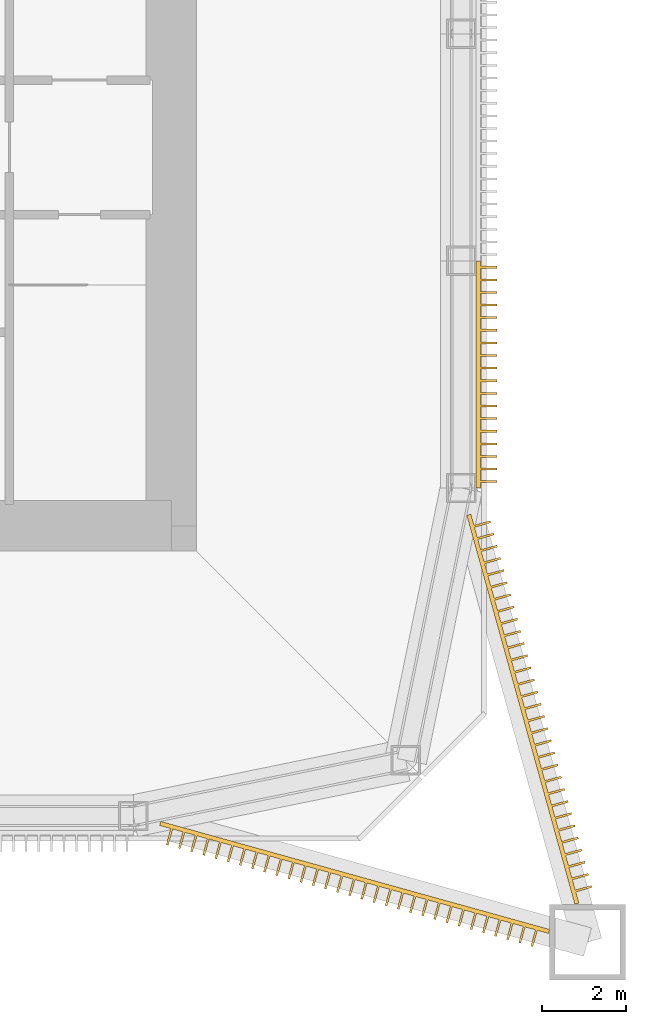
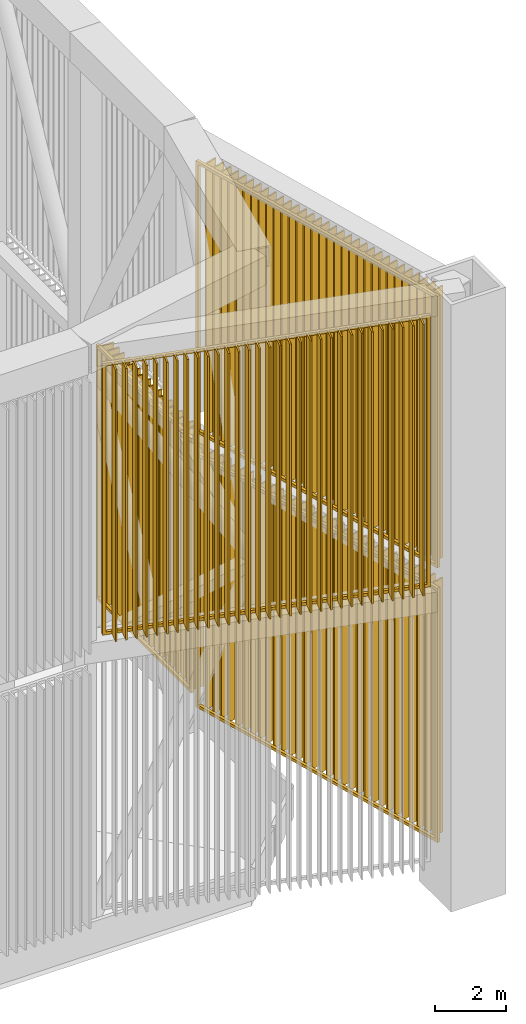
# One storey, part 8 of 13: 4 shading devices.
"""IFC4 building model written with IfcOpenShell, lengths in metres."""

from ifc_helpers import new_model, si_unit, direction, frame, origin, origin_2d, place, context, subcontext, project, spatial, rectangle, extrude, material, layer, layer_set, type_object, element, save


model = new_model("IFC4")

# Units and contexts
model_context = context("Model", 3, precision=1e-05, world=origin(), true_north=direction((0.0, 1.0)))
body_context = subcontext(model_context, "Body", "Model", "MODEL_VIEW")
ifc_project = project(units=[si_unit("LENGTHUNIT", "METRE"), si_unit("AREAUNIT", "SQUARE_METRE"), si_unit("VOLUMEUNIT", "CUBIC_METRE"), si_unit("PLANEANGLEUNIT", "RADIAN"), si_unit("MASSUNIT", "GRAM", prefix="KILO")], contexts=[model_context])

# Site, building, storey
site_placement = place(None, origin())
site = spatial("IfcSite", under=ifc_project, at=site_placement, CompositionType="ELEMENT")
building_placement = place(site_placement, origin())
building = spatial("IfcBuilding", under=site, at=building_placement, Name="Iwan Alto Co-Living Towers", CompositionType="ELEMENT")
storey_placement = place(building_placement, frame((0.0, 0.0, 267.5)))
storey = spatial("IfcBuildingStorey", under=building, at=storey_placement, Name="RF", CompositionType="ELEMENT", Elevation=267.5)

# Shading devices
ifc_material_1 = material(Name="Aluminium 6063-T6 bronze anodised", Category="aluminium")
ifc_layer_1 = layer(ifc_material_1, 0.39990234375, Name="Fins", Category="Finish")
ifc_material_2 = material(Name="Steel ASTM A36 galvanised frame", Category="steel")
ifc_layer_2 = layer(ifc_material_2, 0.10009765625, Name="Panel frame", Category="Framing")
ifc_layer_set_1 = layer_set([ifc_layer_1, ifc_layer_2], Name="CROWN FIN SCREEN CORNER PANEL")
shading_device_type_1 = type_object("IfcShadingDeviceType", Name="CROWN FIN SCREEN CORNER PANEL", PredefinedType="USERDEFINED", material=ifc_layer_set_1)
shading_device_1_placement = place(storey_placement, frame((0.0, 0.0, -267.5)))
element("IfcShadingDevice", 1, at=shading_device_1_placement, inside=storey, type_object=shading_device_type_1, Name="T1 crown fin screen SE-E lower", ObjectType="LOUVER", PredefinedType="USERDEFINED", context=body_context, shape_type="SweptSolid", body=[
    extrude(rectangle(XDim=9.59912109375, YDim=0.10009765625, at=origin_2d()), frame((17.361083984375, -13.3603515625, 268.599853515625), z_axis=(0.0, 0.0, 1.0), x_axis=(0.267643863841, -0.963517909615, 0.0)), (0.0, 0.0, 1.0), 0.10009765625),
    extrude(rectangle(XDim=9.59912109375, YDim=0.10009765625, at=origin_2d()), frame((17.361083984375, -13.3603515625, 277.300048828125), z_axis=(0.0, 0.0, 1.0), x_axis=(0.267643863841, -0.963517909615, 0.0)), (0.0, 0.0, 1.0), 0.10009765625),
    extrude(rectangle(XDim=0.10009765625, YDim=0.10009765625, at=origin_2d()), frame((16.090087890625, -8.7841796875, 268.69482421875), z_axis=(0.0, 0.0, 1.0), x_axis=(0.267643863841, -0.963517909615, 0.0)), (0.0, 0.0, 1.0), 8.610107421875),
    extrude(rectangle(XDim=0.10009765625, YDim=0.10009765625, at=origin_2d()), frame((18.63232421875, -17.9365234375, 268.69482421875), z_axis=(0.0, 0.0, 1.0), x_axis=(0.267643863841, -0.963517909615, 0.0)), (0.0, 0.0, 1.0), 8.610107421875),
    extrude(rectangle(XDim=0.050048828125, YDim=0.405029296875, at=origin_2d()), frame((16.395263671875, -8.958251953125, 268.60009765625), z_axis=(0.0, 0.0, 1.0), x_axis=(0.267643863841, -0.963517909615, 0.0)), (0.0, 0.0, 1.0), 8.800048828125),
    extrude(rectangle(XDim=0.050048828125, YDim=0.405029296875, at=origin_2d()), frame((16.4755859375, -9.247314453125, 268.60009765625), z_axis=(0.0, 0.0, 1.0), x_axis=(0.267643863841, -0.963517909615, 0.0)), (0.0, 0.0, 1.0), 8.800048828125),
    extrude(rectangle(XDim=0.050048828125, YDim=0.405029296875, at=origin_2d()), frame((16.555908203125, -9.536376953125, 268.60009765625), z_axis=(0.0, 0.0, 1.0), x_axis=(0.267643863841, -0.963517909615, 0.0)), (0.0, 0.0, 1.0), 8.800048828125),
    extrude(rectangle(XDim=0.050048828125, YDim=0.405029296875, at=origin_2d()), frame((16.63623046875, -9.825439453125, 268.60009765625), z_axis=(0.0, 0.0, 1.0), x_axis=(0.267643863841, -0.963517909615, 0.0)), (0.0, 0.0, 1.0), 8.800048828125),
    extrude(rectangle(XDim=0.050048828125, YDim=0.405029296875, at=origin_2d()), frame((16.71630859375, -10.114501953125, 268.60009765625), z_axis=(0.0, 0.0, 1.0), x_axis=(0.267643863841, -0.963517909615, 0.0)), (0.0, 0.0, 1.0), 8.800048828125),
    extrude(rectangle(XDim=0.050048828125, YDim=0.405029296875, at=origin_2d()), frame((16.796630859375, -10.403564453125, 268.60009765625), z_axis=(0.0, 0.0, 1.0), x_axis=(0.267643863841, -0.963517909615, 0.0)), (0.0, 0.0, 1.0), 8.800048828125),
    extrude(rectangle(XDim=0.050048828125, YDim=0.405029296875, at=origin_2d()), frame((16.876953125, -10.692626953125, 268.60009765625), z_axis=(0.0, 0.0, 1.0), x_axis=(0.267643863841, -0.963517909615, 0.0)), (0.0, 0.0, 1.0), 8.800048828125),
    extrude(rectangle(XDim=0.050048828125, YDim=0.405029296875, at=origin_2d()), frame((16.957275390625, -10.981689453125, 268.60009765625), z_axis=(0.0, 0.0, 1.0), x_axis=(0.267643863841, -0.963517909615, 0.0)), (0.0, 0.0, 1.0), 8.800048828125),
    extrude(rectangle(XDim=0.050048828125, YDim=0.405029296875, at=origin_2d()), frame((17.03759765625, -11.270751953125, 268.60009765625), z_axis=(0.0, 0.0, 1.0), x_axis=(0.267643863841, -0.963517909615, 0.0)), (0.0, 0.0, 1.0), 8.800048828125),
    extrude(rectangle(XDim=0.050048828125, YDim=0.405029296875, at=origin_2d()), frame((17.117919921875, -11.559814453125, 268.60009765625), z_axis=(0.0, 0.0, 1.0), x_axis=(0.267643863841, -0.963517909615, 0.0)), (0.0, 0.0, 1.0), 8.800048828125),
    extrude(rectangle(XDim=0.050048828125, YDim=0.405029296875, at=origin_2d()), frame((17.1982421875, -11.848876953125, 268.60009765625), z_axis=(0.0, 0.0, 1.0), x_axis=(0.267643863841, -0.963517909615, 0.0)), (0.0, 0.0, 1.0), 8.800048828125),
    extrude(rectangle(XDim=0.050048828125, YDim=0.405029296875, at=origin_2d()), frame((17.278564453125, -12.137939453125, 268.60009765625), z_axis=(0.0, 0.0, 1.0), x_axis=(0.267643863841, -0.963517909615, 0.0)), (0.0, 0.0, 1.0), 8.800048828125),
    extrude(rectangle(XDim=0.050048828125, YDim=0.405029296875, at=origin_2d()), frame((17.35888671875, -12.427001953125, 268.60009765625), z_axis=(0.0, 0.0, 1.0), x_axis=(0.267643863841, -0.963517909615, 0.0)), (0.0, 0.0, 1.0), 8.800048828125),
    extrude(rectangle(XDim=0.050048828125, YDim=0.405029296875, at=origin_2d()), frame((17.439208984375, -12.716064453125, 268.60009765625), z_axis=(0.0, 0.0, 1.0), x_axis=(0.267643863841, -0.963517909615, 0.0)), (0.0, 0.0, 1.0), 8.800048828125),
    extrude(rectangle(XDim=0.050048828125, YDim=0.405029296875, at=origin_2d()), frame((17.519287109375, -13.0048828125, 268.60009765625), z_axis=(0.0, 0.0, 1.0), x_axis=(0.267643863841, -0.963517909615, 0.0)), (0.0, 0.0, 1.0), 8.800048828125),
    extrude(rectangle(XDim=0.050048828125, YDim=0.405029296875, at=origin_2d()), frame((17.599609375, -13.294189453125, 268.60009765625), z_axis=(0.0, 0.0, 1.0), x_axis=(0.267643863841, -0.963517909615, 0.0)), (0.0, 0.0, 1.0), 8.800048828125),
    extrude(rectangle(XDim=0.050048828125, YDim=0.405029296875, at=origin_2d()), frame((17.679931640625, -13.5830078125, 268.60009765625), z_axis=(0.0, 0.0, 1.0), x_axis=(0.267643863841, -0.963517909615, 0.0)), (0.0, 0.0, 1.0), 8.800048828125),
    extrude(rectangle(XDim=0.050048828125, YDim=0.405029296875, at=origin_2d()), frame((17.76025390625, -13.872314453125, 268.60009765625), z_axis=(0.0, 0.0, 1.0), x_axis=(0.267643863841, -0.963517909615, 0.0)), (0.0, 0.0, 1.0), 8.800048828125),
    extrude(rectangle(XDim=0.050048828125, YDim=0.405029296875, at=origin_2d()), frame((17.840576171875, -14.161376953125, 268.60009765625), z_axis=(0.0, 0.0, 1.0), x_axis=(0.267643863841, -0.963517909615, 0.0)), (0.0, 0.0, 1.0), 8.800048828125),
    extrude(rectangle(XDim=0.050048828125, YDim=0.405029296875, at=origin_2d()), frame((17.9208984375, -14.4501953125, 268.60009765625), z_axis=(0.0, 0.0, 1.0), x_axis=(0.267643863841, -0.963517909615, 0.0)), (0.0, 0.0, 1.0), 8.800048828125),
    extrude(rectangle(XDim=0.050048828125, YDim=0.405029296875, at=origin_2d()), frame((18.001220703125, -14.739501953125, 268.60009765625), z_axis=(0.0, 0.0, 1.0), x_axis=(0.267643863841, -0.963517909615, 0.0)), (0.0, 0.0, 1.0), 8.800048828125),
    extrude(rectangle(XDim=0.050048828125, YDim=0.405029296875, at=origin_2d()), frame((18.081298828125, -15.0283203125, 268.60009765625), z_axis=(0.0, 0.0, 1.0), x_axis=(0.267643863841, -0.963517909615, 0.0)), (0.0, 0.0, 1.0), 8.800048828125),
    extrude(rectangle(XDim=0.050048828125, YDim=0.405029296875, at=origin_2d()), frame((18.16162109375, -15.3173828125, 268.60009765625), z_axis=(0.0, 0.0, 1.0), x_axis=(0.267643863841, -0.963517909615, 0.0)), (0.0, 0.0, 1.0), 8.800048828125),
    extrude(rectangle(XDim=0.050048828125, YDim=0.405029296875, at=origin_2d()), frame((18.241943359375, -15.6064453125, 268.60009765625), z_axis=(0.0, 0.0, 1.0), x_axis=(0.267643863841, -0.963517909615, 0.0)), (0.0, 0.0, 1.0), 8.800048828125),
    extrude(rectangle(XDim=0.050048828125, YDim=0.405029296875, at=origin_2d()), frame((18.322265625, -15.8955078125, 268.60009765625), z_axis=(0.0, 0.0, 1.0), x_axis=(0.267643863841, -0.963517909615, 0.0)), (0.0, 0.0, 1.0), 8.800048828125),
    extrude(rectangle(XDim=0.050048828125, YDim=0.405029296875, at=origin_2d()), frame((18.402587890625, -16.1845703125, 268.60009765625), z_axis=(0.0, 0.0, 1.0), x_axis=(0.267643863841, -0.963517909615, 0.0)), (0.0, 0.0, 1.0), 8.800048828125),
    extrude(rectangle(XDim=0.050048828125, YDim=0.405029296875, at=origin_2d()), frame((18.48291015625, -16.4736328125, 268.60009765625), z_axis=(0.0, 0.0, 1.0), x_axis=(0.267643863841, -0.963517909615, 0.0)), (0.0, 0.0, 1.0), 8.800048828125),
    extrude(rectangle(XDim=0.050048828125, YDim=0.405029296875, at=origin_2d()), frame((18.563232421875, -16.7626953125, 268.60009765625), z_axis=(0.0, 0.0, 1.0), x_axis=(0.267643863841, -0.963517909615, 0.0)), (0.0, 0.0, 1.0), 8.800048828125),
    extrude(rectangle(XDim=0.050048828125, YDim=0.405029296875, at=origin_2d()), frame((18.6435546875, -17.0517578125, 268.60009765625), z_axis=(0.0, 0.0, 1.0), x_axis=(0.267643863841, -0.963517909615, 0.0)), (0.0, 0.0, 1.0), 8.800048828125),
    extrude(rectangle(XDim=0.050048828125, YDim=0.405029296875, at=origin_2d()), frame((18.723876953125, -17.3408203125, 268.60009765625), z_axis=(0.0, 0.0, 1.0), x_axis=(0.267643863841, -0.963517909615, 0.0)), (0.0, 0.0, 1.0), 8.800048828125),
    extrude(rectangle(XDim=0.050048828125, YDim=0.405029296875, at=origin_2d()), frame((18.80419921875, -17.6298828125, 268.60009765625), z_axis=(0.0, 0.0, 1.0), x_axis=(0.267643863841, -0.963517909615, 0.0)), (0.0, 0.0, 1.0), 8.800048828125),
])
shading_device_2_placement = place(storey_placement, frame((0.0, 0.0, -267.5)))
element("IfcShadingDevice", 2, at=shading_device_2_placement, inside=storey, type_object=shading_device_type_1, Name="T1 crown fin screen SE-E upper", ObjectType="LOUVER", PredefinedType="USERDEFINED", context=body_context, shape_type="SweptSolid", body=[
    extrude(rectangle(XDim=9.59912109375, YDim=0.10009765625, at=origin_2d()), frame((17.361083984375, -13.3603515625, 278.099853515625), z_axis=(0.0, 0.0, 1.0), x_axis=(0.267643863841, -0.963517909615, 0.0)), (0.0, 0.0, 1.0), 0.10009765625),
    extrude(rectangle(XDim=9.59912109375, YDim=0.10009765625, at=origin_2d()), frame((17.361083984375, -13.3603515625, 287.39990234375), z_axis=(0.0, 0.0, 1.0), x_axis=(0.267643863841, -0.963517909615, 0.0)), (0.0, 0.0, 1.0), 0.10009765625),
    extrude(rectangle(XDim=0.10009765625, YDim=0.10009765625, at=origin_2d()), frame((16.090087890625, -8.7841796875, 278.195068359375), z_axis=(0.0, 0.0, 1.0), x_axis=(0.267643863841, -0.963517909615, 0.0)), (0.0, 0.0, 1.0), 9.2099609375),
    extrude(rectangle(XDim=0.10009765625, YDim=0.10009765625, at=origin_2d()), frame((18.63232421875, -17.9365234375, 278.195068359375), z_axis=(0.0, 0.0, 1.0), x_axis=(0.267643863841, -0.963517909615, 0.0)), (0.0, 0.0, 1.0), 9.2099609375),
    extrude(rectangle(XDim=0.050048828125, YDim=0.405029296875, at=origin_2d()), frame((16.395263671875, -8.958251953125, 278.10009765625), z_axis=(0.0, 0.0, 1.0), x_axis=(0.267643863841, -0.963517909615, 0.0)), (0.0, 0.0, 1.0), 9.39990234375),
    extrude(rectangle(XDim=0.050048828125, YDim=0.405029296875, at=origin_2d()), frame((16.4755859375, -9.247314453125, 278.10009765625), z_axis=(0.0, 0.0, 1.0), x_axis=(0.267643863841, -0.963517909615, 0.0)), (0.0, 0.0, 1.0), 9.39990234375),
    extrude(rectangle(XDim=0.050048828125, YDim=0.405029296875, at=origin_2d()), frame((16.555908203125, -9.536376953125, 278.10009765625), z_axis=(0.0, 0.0, 1.0), x_axis=(0.267643863841, -0.963517909615, 0.0)), (0.0, 0.0, 1.0), 9.39990234375),
    extrude(rectangle(XDim=0.050048828125, YDim=0.405029296875, at=origin_2d()), frame((16.63623046875, -9.825439453125, 278.10009765625), z_axis=(0.0, 0.0, 1.0), x_axis=(0.267643863841, -0.963517909615, 0.0)), (0.0, 0.0, 1.0), 9.39990234375),
    extrude(rectangle(XDim=0.050048828125, YDim=0.405029296875, at=origin_2d()), frame((16.71630859375, -10.114501953125, 278.10009765625), z_axis=(0.0, 0.0, 1.0), x_axis=(0.267643863841, -0.963517909615, 0.0)), (0.0, 0.0, 1.0), 9.39990234375),
    extrude(rectangle(XDim=0.050048828125, YDim=0.405029296875, at=origin_2d()), frame((16.796630859375, -10.403564453125, 278.10009765625), z_axis=(0.0, 0.0, 1.0), x_axis=(0.267643863841, -0.963517909615, 0.0)), (0.0, 0.0, 1.0), 9.39990234375),
    extrude(rectangle(XDim=0.050048828125, YDim=0.405029296875, at=origin_2d()), frame((16.876953125, -10.692626953125, 278.10009765625), z_axis=(0.0, 0.0, 1.0), x_axis=(0.267643863841, -0.963517909615, 0.0)), (0.0, 0.0, 1.0), 9.39990234375),
    extrude(rectangle(XDim=0.050048828125, YDim=0.405029296875, at=origin_2d()), frame((16.957275390625, -10.981689453125, 278.10009765625), z_axis=(0.0, 0.0, 1.0), x_axis=(0.267643863841, -0.963517909615, 0.0)), (0.0, 0.0, 1.0), 9.39990234375),
    extrude(rectangle(XDim=0.050048828125, YDim=0.405029296875, at=origin_2d()), frame((17.03759765625, -11.270751953125, 278.10009765625), z_axis=(0.0, 0.0, 1.0), x_axis=(0.267643863841, -0.963517909615, 0.0)), (0.0, 0.0, 1.0), 9.39990234375),
    extrude(rectangle(XDim=0.050048828125, YDim=0.405029296875, at=origin_2d()), frame((17.117919921875, -11.559814453125, 278.10009765625), z_axis=(0.0, 0.0, 1.0), x_axis=(0.267643863841, -0.963517909615, 0.0)), (0.0, 0.0, 1.0), 9.39990234375),
    extrude(rectangle(XDim=0.050048828125, YDim=0.405029296875, at=origin_2d()), frame((17.1982421875, -11.848876953125, 278.10009765625), z_axis=(0.0, 0.0, 1.0), x_axis=(0.267643863841, -0.963517909615, 0.0)), (0.0, 0.0, 1.0), 9.39990234375),
    extrude(rectangle(XDim=0.050048828125, YDim=0.405029296875, at=origin_2d()), frame((17.278564453125, -12.137939453125, 278.10009765625), z_axis=(0.0, 0.0, 1.0), x_axis=(0.267643863841, -0.963517909615, 0.0)), (0.0, 0.0, 1.0), 9.39990234375),
    extrude(rectangle(XDim=0.050048828125, YDim=0.405029296875, at=origin_2d()), frame((17.35888671875, -12.427001953125, 278.10009765625), z_axis=(0.0, 0.0, 1.0), x_axis=(0.267643863841, -0.963517909615, 0.0)), (0.0, 0.0, 1.0), 9.39990234375),
    extrude(rectangle(XDim=0.050048828125, YDim=0.405029296875, at=origin_2d()), frame((17.439208984375, -12.716064453125, 278.10009765625), z_axis=(0.0, 0.0, 1.0), x_axis=(0.267643863841, -0.963517909615, 0.0)), (0.0, 0.0, 1.0), 9.39990234375),
    extrude(rectangle(XDim=0.050048828125, YDim=0.405029296875, at=origin_2d()), frame((17.519287109375, -13.0048828125, 278.10009765625), z_axis=(0.0, 0.0, 1.0), x_axis=(0.267643863841, -0.963517909615, 0.0)), (0.0, 0.0, 1.0), 9.39990234375),
    extrude(rectangle(XDim=0.050048828125, YDim=0.405029296875, at=origin_2d()), frame((17.599609375, -13.294189453125, 278.10009765625), z_axis=(0.0, 0.0, 1.0), x_axis=(0.267643863841, -0.963517909615, 0.0)), (0.0, 0.0, 1.0), 9.39990234375),
    extrude(rectangle(XDim=0.050048828125, YDim=0.405029296875, at=origin_2d()), frame((17.679931640625, -13.5830078125, 278.10009765625), z_axis=(0.0, 0.0, 1.0), x_axis=(0.267643863841, -0.963517909615, 0.0)), (0.0, 0.0, 1.0), 9.39990234375),
    extrude(rectangle(XDim=0.050048828125, YDim=0.405029296875, at=origin_2d()), frame((17.76025390625, -13.872314453125, 278.10009765625), z_axis=(0.0, 0.0, 1.0), x_axis=(0.267643863841, -0.963517909615, 0.0)), (0.0, 0.0, 1.0), 9.39990234375),
    extrude(rectangle(XDim=0.050048828125, YDim=0.405029296875, at=origin_2d()), frame((17.840576171875, -14.161376953125, 278.10009765625), z_axis=(0.0, 0.0, 1.0), x_axis=(0.267643863841, -0.963517909615, 0.0)), (0.0, 0.0, 1.0), 9.39990234375),
    extrude(rectangle(XDim=0.050048828125, YDim=0.405029296875, at=origin_2d()), frame((17.9208984375, -14.4501953125, 278.10009765625), z_axis=(0.0, 0.0, 1.0), x_axis=(0.267643863841, -0.963517909615, 0.0)), (0.0, 0.0, 1.0), 9.39990234375),
    extrude(rectangle(XDim=0.050048828125, YDim=0.405029296875, at=origin_2d()), frame((18.001220703125, -14.739501953125, 278.10009765625), z_axis=(0.0, 0.0, 1.0), x_axis=(0.267643863841, -0.963517909615, 0.0)), (0.0, 0.0, 1.0), 9.39990234375),
    extrude(rectangle(XDim=0.050048828125, YDim=0.405029296875, at=origin_2d()), frame((18.081298828125, -15.0283203125, 278.10009765625), z_axis=(0.0, 0.0, 1.0), x_axis=(0.267643863841, -0.963517909615, 0.0)), (0.0, 0.0, 1.0), 9.39990234375),
    extrude(rectangle(XDim=0.050048828125, YDim=0.405029296875, at=origin_2d()), frame((18.16162109375, -15.3173828125, 278.10009765625), z_axis=(0.0, 0.0, 1.0), x_axis=(0.267643863841, -0.963517909615, 0.0)), (0.0, 0.0, 1.0), 9.39990234375),
    extrude(rectangle(XDim=0.050048828125, YDim=0.405029296875, at=origin_2d()), frame((18.241943359375, -15.6064453125, 278.10009765625), z_axis=(0.0, 0.0, 1.0), x_axis=(0.267643863841, -0.963517909615, 0.0)), (0.0, 0.0, 1.0), 9.39990234375),
    extrude(rectangle(XDim=0.050048828125, YDim=0.405029296875, at=origin_2d()), frame((18.322265625, -15.8955078125, 278.10009765625), z_axis=(0.0, 0.0, 1.0), x_axis=(0.267643863841, -0.963517909615, 0.0)), (0.0, 0.0, 1.0), 9.39990234375),
    extrude(rectangle(XDim=0.050048828125, YDim=0.405029296875, at=origin_2d()), frame((18.402587890625, -16.1845703125, 278.10009765625), z_axis=(0.0, 0.0, 1.0), x_axis=(0.267643863841, -0.963517909615, 0.0)), (0.0, 0.0, 1.0), 9.39990234375),
    extrude(rectangle(XDim=0.050048828125, YDim=0.405029296875, at=origin_2d()), frame((18.48291015625, -16.4736328125, 278.10009765625), z_axis=(0.0, 0.0, 1.0), x_axis=(0.267643863841, -0.963517909615, 0.0)), (0.0, 0.0, 1.0), 9.39990234375),
    extrude(rectangle(XDim=0.050048828125, YDim=0.405029296875, at=origin_2d()), frame((18.563232421875, -16.7626953125, 278.10009765625), z_axis=(0.0, 0.0, 1.0), x_axis=(0.267643863841, -0.963517909615, 0.0)), (0.0, 0.0, 1.0), 9.39990234375),
    extrude(rectangle(XDim=0.050048828125, YDim=0.405029296875, at=origin_2d()), frame((18.6435546875, -17.0517578125, 278.10009765625), z_axis=(0.0, 0.0, 1.0), x_axis=(0.267643863841, -0.963517909615, 0.0)), (0.0, 0.0, 1.0), 9.39990234375),
    extrude(rectangle(XDim=0.050048828125, YDim=0.405029296875, at=origin_2d()), frame((18.723876953125, -17.3408203125, 278.10009765625), z_axis=(0.0, 0.0, 1.0), x_axis=(0.267643863841, -0.963517909615, 0.0)), (0.0, 0.0, 1.0), 9.39990234375),
    extrude(rectangle(XDim=0.050048828125, YDim=0.405029296875, at=origin_2d()), frame((18.80419921875, -17.6298828125, 278.10009765625), z_axis=(0.0, 0.0, 1.0), x_axis=(0.267643863841, -0.963517909615, 0.0)), (0.0, 0.0, 1.0), 9.39990234375),
])
shading_device_3_placement = place(storey_placement, frame((0.0, 0.0, -267.5)))
element("IfcShadingDevice", 3, at=shading_device_3_placement, inside=storey, type_object=shading_device_type_1, Name="T1 crown fin screen SE-S upper", ObjectType="LOUVER", PredefinedType="USERDEFINED", context=body_context, shape_type="SweptSolid", body=[
    extrude(rectangle(XDim=9.59912109375, YDim=0.10009765625, at=origin_2d()), frame((13.3603515625, -17.361083984375, 278.099853515625), z_axis=(0.0, 0.0, 1.0), x_axis=(0.963517909615, -0.267643863841, 0.0)), (0.0, 0.0, 1.0), 0.10009765625),
    extrude(rectangle(XDim=9.59912109375, YDim=0.10009765625, at=origin_2d()), frame((13.3603515625, -17.361083984375, 287.39990234375), z_axis=(0.0, 0.0, 1.0), x_axis=(0.963517909615, -0.267643863841, 0.0)), (0.0, 0.0, 1.0), 0.10009765625),
    extrude(rectangle(XDim=0.10009765625, YDim=0.10009765625, at=origin_2d()), frame((8.7841796875, -16.090087890625, 278.195068359375), z_axis=(0.0, 0.0, 1.0), x_axis=(0.963517909615, -0.267643863841, 0.0)), (0.0, 0.0, 1.0), 9.2099609375),
    extrude(rectangle(XDim=0.10009765625, YDim=0.10009765625, at=origin_2d()), frame((17.9365234375, -18.63232421875, 278.195068359375), z_axis=(0.0, 0.0, 1.0), x_axis=(0.963517909615, -0.267643863841, 0.0)), (0.0, 0.0, 1.0), 9.2099609375),
    extrude(rectangle(XDim=0.050048828125, YDim=0.405029296875, at=origin_2d()), frame((8.958251953125, -16.395263671875, 278.10009765625), z_axis=(0.0, 0.0, 1.0), x_axis=(0.963517909615, -0.267643863841, 0.0)), (0.0, 0.0, 1.0), 9.39990234375),
    extrude(rectangle(XDim=0.050048828125, YDim=0.405029296875, at=origin_2d()), frame((9.247314453125, -16.4755859375, 278.10009765625), z_axis=(0.0, 0.0, 1.0), x_axis=(0.963517909615, -0.267643863841, 0.0)), (0.0, 0.0, 1.0), 9.39990234375),
    extrude(rectangle(XDim=0.050048828125, YDim=0.405029296875, at=origin_2d()), frame((9.536376953125, -16.555908203125, 278.10009765625), z_axis=(0.0, 0.0, 1.0), x_axis=(0.963517909615, -0.267643863841, 0.0)), (0.0, 0.0, 1.0), 9.39990234375),
    extrude(rectangle(XDim=0.050048828125, YDim=0.405029296875, at=origin_2d()), frame((9.825439453125, -16.63623046875, 278.10009765625), z_axis=(0.0, 0.0, 1.0), x_axis=(0.963517909615, -0.267643863841, 0.0)), (0.0, 0.0, 1.0), 9.39990234375),
    extrude(rectangle(XDim=0.050048828125, YDim=0.405029296875, at=origin_2d()), frame((10.114501953125, -16.71630859375, 278.10009765625), z_axis=(0.0, 0.0, 1.0), x_axis=(0.963517909615, -0.267643863841, 0.0)), (0.0, 0.0, 1.0), 9.39990234375),
    extrude(rectangle(XDim=0.050048828125, YDim=0.405029296875, at=origin_2d()), frame((10.403564453125, -16.796630859375, 278.10009765625), z_axis=(0.0, 0.0, 1.0), x_axis=(0.963517909615, -0.267643863841, 0.0)), (0.0, 0.0, 1.0), 9.39990234375),
    extrude(rectangle(XDim=0.050048828125, YDim=0.405029296875, at=origin_2d()), frame((10.692626953125, -16.876953125, 278.10009765625), z_axis=(0.0, 0.0, 1.0), x_axis=(0.963517909615, -0.267643863841, 0.0)), (0.0, 0.0, 1.0), 9.39990234375),
    extrude(rectangle(XDim=0.050048828125, YDim=0.405029296875, at=origin_2d()), frame((10.981689453125, -16.957275390625, 278.10009765625), z_axis=(0.0, 0.0, 1.0), x_axis=(0.963517909615, -0.267643863841, 0.0)), (0.0, 0.0, 1.0), 9.39990234375),
    extrude(rectangle(XDim=0.050048828125, YDim=0.405029296875, at=origin_2d()), frame((11.270751953125, -17.03759765625, 278.10009765625), z_axis=(0.0, 0.0, 1.0), x_axis=(0.963517909615, -0.267643863841, 0.0)), (0.0, 0.0, 1.0), 9.39990234375),
    extrude(rectangle(XDim=0.050048828125, YDim=0.405029296875, at=origin_2d()), frame((11.559814453125, -17.117919921875, 278.10009765625), z_axis=(0.0, 0.0, 1.0), x_axis=(0.963517909615, -0.267643863841, 0.0)), (0.0, 0.0, 1.0), 9.39990234375),
    extrude(rectangle(XDim=0.050048828125, YDim=0.405029296875, at=origin_2d()), frame((11.848876953125, -17.1982421875, 278.10009765625), z_axis=(0.0, 0.0, 1.0), x_axis=(0.963517909615, -0.267643863841, 0.0)), (0.0, 0.0, 1.0), 9.39990234375),
    extrude(rectangle(XDim=0.050048828125, YDim=0.405029296875, at=origin_2d()), frame((12.137939453125, -17.278564453125, 278.10009765625), z_axis=(0.0, 0.0, 1.0), x_axis=(0.963517909615, -0.267643863841, 0.0)), (0.0, 0.0, 1.0), 9.39990234375),
    extrude(rectangle(XDim=0.050048828125, YDim=0.405029296875, at=origin_2d()), frame((12.427001953125, -17.35888671875, 278.10009765625), z_axis=(0.0, 0.0, 1.0), x_axis=(0.963517909615, -0.267643863841, 0.0)), (0.0, 0.0, 1.0), 9.39990234375),
    extrude(rectangle(XDim=0.050048828125, YDim=0.405029296875, at=origin_2d()), frame((12.716064453125, -17.439208984375, 278.10009765625), z_axis=(0.0, 0.0, 1.0), x_axis=(0.963517909615, -0.267643863841, 0.0)), (0.0, 0.0, 1.0), 9.39990234375),
    extrude(rectangle(XDim=0.050048828125, YDim=0.405029296875, at=origin_2d()), frame((13.0048828125, -17.519287109375, 278.10009765625), z_axis=(0.0, 0.0, 1.0), x_axis=(0.963517909615, -0.267643863841, 0.0)), (0.0, 0.0, 1.0), 9.39990234375),
    extrude(rectangle(XDim=0.050048828125, YDim=0.405029296875, at=origin_2d()), frame((13.294189453125, -17.599609375, 278.10009765625), z_axis=(0.0, 0.0, 1.0), x_axis=(0.963517909615, -0.267643863841, 0.0)), (0.0, 0.0, 1.0), 9.39990234375),
    extrude(rectangle(XDim=0.050048828125, YDim=0.405029296875, at=origin_2d()), frame((13.5830078125, -17.679931640625, 278.10009765625), z_axis=(0.0, 0.0, 1.0), x_axis=(0.963517909615, -0.267643863841, 0.0)), (0.0, 0.0, 1.0), 9.39990234375),
    extrude(rectangle(XDim=0.050048828125, YDim=0.405029296875, at=origin_2d()), frame((13.872314453125, -17.76025390625, 278.10009765625), z_axis=(0.0, 0.0, 1.0), x_axis=(0.963517909615, -0.267643863841, 0.0)), (0.0, 0.0, 1.0), 9.39990234375),
    extrude(rectangle(XDim=0.050048828125, YDim=0.405029296875, at=origin_2d()), frame((14.161376953125, -17.840576171875, 278.10009765625), z_axis=(0.0, 0.0, 1.0), x_axis=(0.963517909615, -0.267643863841, 0.0)), (0.0, 0.0, 1.0), 9.39990234375),
    extrude(rectangle(XDim=0.050048828125, YDim=0.405029296875, at=origin_2d()), frame((14.4501953125, -17.9208984375, 278.10009765625), z_axis=(0.0, 0.0, 1.0), x_axis=(0.963517909615, -0.267643863841, 0.0)), (0.0, 0.0, 1.0), 9.39990234375),
    extrude(rectangle(XDim=0.050048828125, YDim=0.405029296875, at=origin_2d()), frame((14.739501953125, -18.001220703125, 278.10009765625), z_axis=(0.0, 0.0, 1.0), x_axis=(0.963517909615, -0.267643863841, 0.0)), (0.0, 0.0, 1.0), 9.39990234375),
    extrude(rectangle(XDim=0.050048828125, YDim=0.405029296875, at=origin_2d()), frame((15.0283203125, -18.081298828125, 278.10009765625), z_axis=(0.0, 0.0, 1.0), x_axis=(0.963517909615, -0.267643863841, 0.0)), (0.0, 0.0, 1.0), 9.39990234375),
    extrude(rectangle(XDim=0.050048828125, YDim=0.405029296875, at=origin_2d()), frame((15.3173828125, -18.16162109375, 278.10009765625), z_axis=(0.0, 0.0, 1.0), x_axis=(0.963517909615, -0.267643863841, 0.0)), (0.0, 0.0, 1.0), 9.39990234375),
    extrude(rectangle(XDim=0.050048828125, YDim=0.405029296875, at=origin_2d()), frame((15.6064453125, -18.241943359375, 278.10009765625), z_axis=(0.0, 0.0, 1.0), x_axis=(0.963517909615, -0.267643863841, 0.0)), (0.0, 0.0, 1.0), 9.39990234375),
    extrude(rectangle(XDim=0.050048828125, YDim=0.405029296875, at=origin_2d()), frame((15.8955078125, -18.322265625, 278.10009765625), z_axis=(0.0, 0.0, 1.0), x_axis=(0.963517909615, -0.267643863841, 0.0)), (0.0, 0.0, 1.0), 9.39990234375),
    extrude(rectangle(XDim=0.050048828125, YDim=0.405029296875, at=origin_2d()), frame((16.1845703125, -18.402587890625, 278.10009765625), z_axis=(0.0, 0.0, 1.0), x_axis=(0.963517909615, -0.267643863841, 0.0)), (0.0, 0.0, 1.0), 9.39990234375),
    extrude(rectangle(XDim=0.050048828125, YDim=0.405029296875, at=origin_2d()), frame((16.4736328125, -18.48291015625, 278.10009765625), z_axis=(0.0, 0.0, 1.0), x_axis=(0.963517909615, -0.267643863841, 0.0)), (0.0, 0.0, 1.0), 9.39990234375),
    extrude(rectangle(XDim=0.050048828125, YDim=0.405029296875, at=origin_2d()), frame((16.7626953125, -18.563232421875, 278.10009765625), z_axis=(0.0, 0.0, 1.0), x_axis=(0.963517909615, -0.267643863841, 0.0)), (0.0, 0.0, 1.0), 9.39990234375),
    extrude(rectangle(XDim=0.050048828125, YDim=0.405029296875, at=origin_2d()), frame((17.0517578125, -18.6435546875, 278.10009765625), z_axis=(0.0, 0.0, 1.0), x_axis=(0.963517909615, -0.267643863841, 0.0)), (0.0, 0.0, 1.0), 9.39990234375),
    extrude(rectangle(XDim=0.050048828125, YDim=0.405029296875, at=origin_2d()), frame((17.3408203125, -18.723876953125, 278.10009765625), z_axis=(0.0, 0.0, 1.0), x_axis=(0.963517909615, -0.267643863841, 0.0)), (0.0, 0.0, 1.0), 9.39990234375),
    extrude(rectangle(XDim=0.050048828125, YDim=0.405029296875, at=origin_2d()), frame((17.6298828125, -18.80419921875, 278.10009765625), z_axis=(0.0, 0.0, 1.0), x_axis=(0.963517909615, -0.267643863841, 0.0)), (0.0, 0.0, 1.0), 9.39990234375),
])
ifc_layer_3 = layer(ifc_material_1, 0.39990234375, Name="Fins", Category="Finish")
ifc_layer_4 = layer(ifc_material_2, 0.10009765625, Name="Panel frame", Category="Framing")
ifc_layer_set_2 = layer_set([ifc_layer_3, ifc_layer_4], Name="CROWN FIN SCREEN PANEL")
shading_device_type_2 = type_object("IfcShadingDeviceType", Name="CROWN FIN SCREEN PANEL", PredefinedType="USERDEFINED", material=ifc_layer_set_2)
shading_device_4_placement = place(storey_placement, frame((0.0, 0.0, -267.5)))
element("IfcShadingDevice", 4, at=shading_device_4_placement, inside=storey, type_object=shading_device_type_2, Name="T1 crown fin screen E-01 lower", ObjectType="LOUVER", PredefinedType="USERDEFINED", context=body_context, shape_type="SweptSolid", body=[
    extrude(rectangle(XDim=5.39990234375, YDim=0.10009765625, at=origin_2d()), frame((16.300048828125, -5.39990234375, 268.599853515625), z_axis=(0.0, 0.0, 1.0), x_axis=(0.0, 1.0, 0.0)), (0.0, 0.0, 1.0), 0.10009765625),
    extrude(rectangle(XDim=5.39990234375, YDim=0.10009765625, at=origin_2d()), frame((16.300048828125, -5.39990234375, 277.300048828125), z_axis=(0.0, 0.0, 1.0), x_axis=(0.0, 1.0, 0.0)), (0.0, 0.0, 1.0), 0.10009765625),
    extrude(rectangle(XDim=0.10009765625, YDim=0.10009765625, at=origin_2d()), frame((16.300048828125, -8.050048828125, 268.69482421875), z_axis=(0.0, 0.0, 1.0), x_axis=(0.0, 1.0, 0.0)), (0.0, 0.0, 1.0), 8.610107421875),
    extrude(rectangle(XDim=0.10009765625, YDim=0.10009765625, at=origin_2d()), frame((16.300048828125, -2.75, 268.69482421875), z_axis=(0.0, 0.0, 1.0), x_axis=(0.0, 1.0, 0.0)), (0.0, 0.0, 1.0), 8.610107421875),
    extrude(rectangle(XDim=0.050048828125, YDim=0.405029296875, at=origin_2d()), frame((16.547607421875, -7.949951171875, 268.60009765625), z_axis=(0.0, 0.0, 1.0), x_axis=(0.0, 1.0, 0.0)), (0.0, 0.0, 1.0), 8.800048828125),
    extrude(rectangle(XDim=0.050048828125, YDim=0.405029296875, at=origin_2d()), frame((16.547607421875, -7.64990234375, 268.60009765625), z_axis=(0.0, 0.0, 1.0), x_axis=(0.0, 1.0, 0.0)), (0.0, 0.0, 1.0), 8.800048828125),
    extrude(rectangle(XDim=0.050048828125, YDim=0.405029296875, at=origin_2d()), frame((16.547607421875, -7.35009765625, 268.60009765625), z_axis=(0.0, 0.0, 1.0), x_axis=(0.0, 1.0, 0.0)), (0.0, 0.0, 1.0), 8.800048828125),
    extrude(rectangle(XDim=0.050048828125, YDim=0.405029296875, at=origin_2d()), frame((16.547607421875, -7.050048828125, 268.60009765625), z_axis=(0.0, 0.0, 1.0), x_axis=(0.0, 1.0, 0.0)), (0.0, 0.0, 1.0), 8.800048828125),
    extrude(rectangle(XDim=0.050048828125, YDim=0.405029296875, at=origin_2d()), frame((16.547607421875, -6.75, 268.60009765625), z_axis=(0.0, 0.0, 1.0), x_axis=(0.0, 1.0, 0.0)), (0.0, 0.0, 1.0), 8.800048828125),
    extrude(rectangle(XDim=0.050048828125, YDim=0.405029296875, at=origin_2d()), frame((16.547607421875, -6.449951171875, 268.60009765625), z_axis=(0.0, 0.0, 1.0), x_axis=(0.0, 1.0, 0.0)), (0.0, 0.0, 1.0), 8.800048828125),
    extrude(rectangle(XDim=0.050048828125, YDim=0.405029296875, at=origin_2d()), frame((16.547607421875, -6.14990234375, 268.60009765625), z_axis=(0.0, 0.0, 1.0), x_axis=(0.0, 1.0, 0.0)), (0.0, 0.0, 1.0), 8.800048828125),
    extrude(rectangle(XDim=0.050048828125, YDim=0.405029296875, at=origin_2d()), frame((16.547607421875, -5.85009765625, 268.60009765625), z_axis=(0.0, 0.0, 1.0), x_axis=(0.0, 1.0, 0.0)), (0.0, 0.0, 1.0), 8.800048828125),
    extrude(rectangle(XDim=0.050048828125, YDim=0.405029296875, at=origin_2d()), frame((16.547607421875, -5.550048828125, 268.60009765625), z_axis=(0.0, 0.0, 1.0), x_axis=(0.0, 1.0, 0.0)), (0.0, 0.0, 1.0), 8.800048828125),
    extrude(rectangle(XDim=0.050048828125, YDim=0.405029296875, at=origin_2d()), frame((16.547607421875, -5.25, 268.60009765625), z_axis=(0.0, 0.0, 1.0), x_axis=(0.0, 1.0, 0.0)), (0.0, 0.0, 1.0), 8.800048828125),
    extrude(rectangle(XDim=0.050048828125, YDim=0.405029296875, at=origin_2d()), frame((16.547607421875, -4.949951171875, 268.60009765625), z_axis=(0.0, 0.0, 1.0), x_axis=(0.0, 1.0, 0.0)), (0.0, 0.0, 1.0), 8.800048828125),
    extrude(rectangle(XDim=0.050048828125, YDim=0.405029296875, at=origin_2d()), frame((16.547607421875, -4.64990234375, 268.60009765625), z_axis=(0.0, 0.0, 1.0), x_axis=(0.0, 1.0, 0.0)), (0.0, 0.0, 1.0), 8.800048828125),
    extrude(rectangle(XDim=0.050048828125, YDim=0.405029296875, at=origin_2d()), frame((16.547607421875, -4.35009765625, 268.60009765625), z_axis=(0.0, 0.0, 1.0), x_axis=(0.0, 1.0, 0.0)), (0.0, 0.0, 1.0), 8.800048828125),
    extrude(rectangle(XDim=0.050048828125, YDim=0.405029296875, at=origin_2d()), frame((16.547607421875, -4.050048828125, 268.60009765625), z_axis=(0.0, 0.0, 1.0), x_axis=(0.0, 1.0, 0.0)), (0.0, 0.0, 1.0), 8.800048828125),
    extrude(rectangle(XDim=0.050048828125, YDim=0.405029296875, at=origin_2d()), frame((16.547607421875, -3.75, 268.60009765625), z_axis=(0.0, 0.0, 1.0), x_axis=(0.0, 1.0, 0.0)), (0.0, 0.0, 1.0), 8.800048828125),
    extrude(rectangle(XDim=0.050048828125, YDim=0.405029296875, at=origin_2d()), frame((16.547607421875, -3.449951171875, 268.60009765625), z_axis=(0.0, 0.0, 1.0), x_axis=(0.0, 1.0, 0.0)), (0.0, 0.0, 1.0), 8.800048828125),
    extrude(rectangle(XDim=0.050048828125, YDim=0.405029296875, at=origin_2d()), frame((16.547607421875, -3.14990234375, 268.60009765625), z_axis=(0.0, 0.0, 1.0), x_axis=(0.0, 1.0, 0.0)), (0.0, 0.0, 1.0), 8.800048828125),
    extrude(rectangle(XDim=0.050048828125, YDim=0.405029296875, at=origin_2d()), frame((16.547607421875, -2.85009765625, 268.60009765625), z_axis=(0.0, 0.0, 1.0), x_axis=(0.0, 1.0, 0.0)), (0.0, 0.0, 1.0), 8.800048828125),
])

save(model, "model.ifc")
